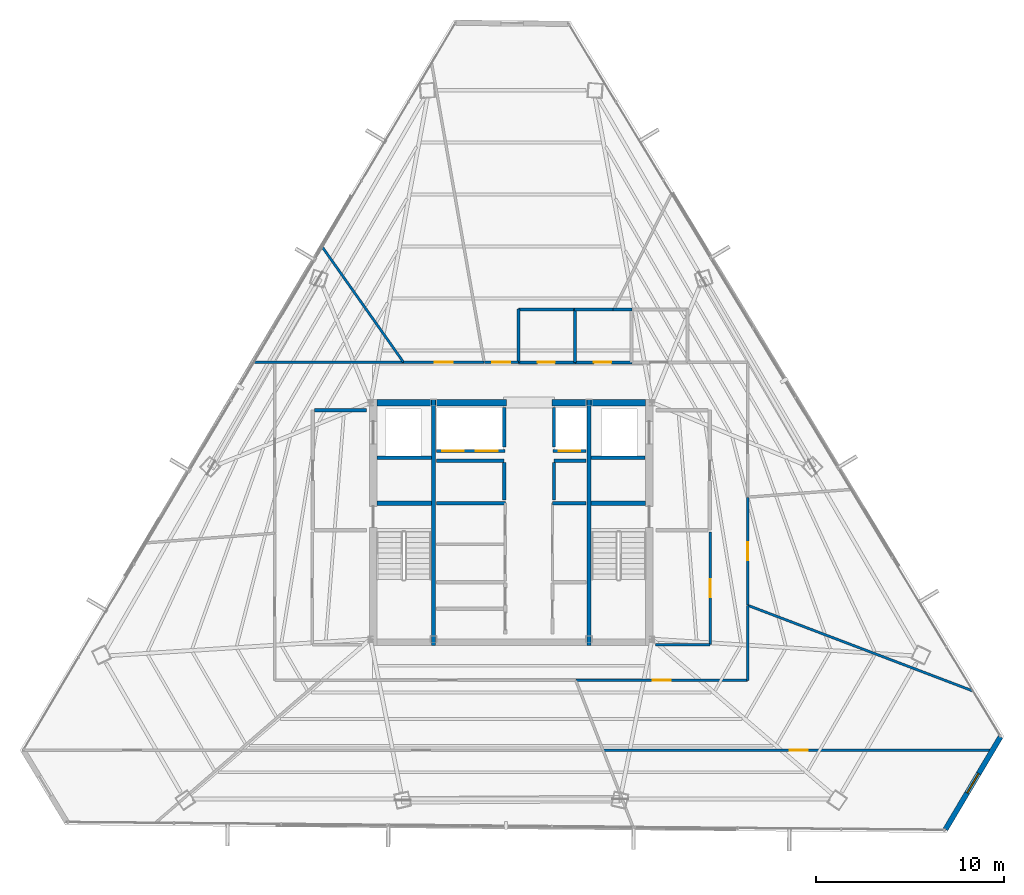
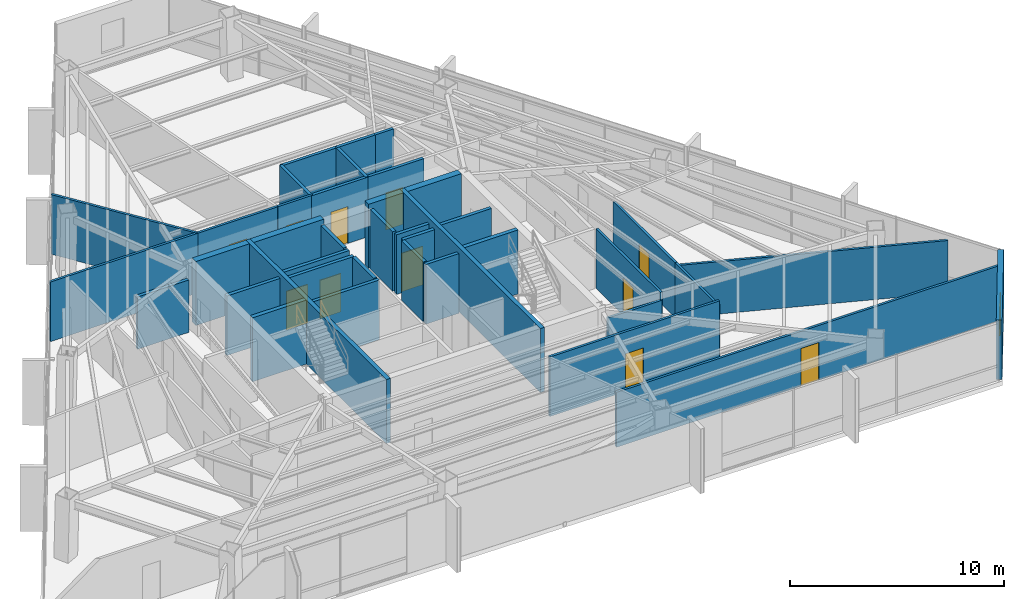
# One storey, part 43 of 47: 40 walls, 11 doors, 1 window, 12 openings.
"""IFC4 building model written with IfcOpenShell, lengths in metres."""

from ifc_helpers import new_model, si_unit, direction, frame, frame_2d, origin, place, context, subcontext, project, spatial, rectangle, extrude, material, layer, layer_set, type_object, element, fill, save


model = new_model("IFC4")

# Units and contexts
model_context = context("Model", 3, precision=1e-05, world=origin(), true_north=direction((0.0, 1.0)))
body_context = subcontext(model_context, "Body", "Model", "MODEL_VIEW")
ifc_project = project(units=[si_unit("LENGTHUNIT", "METRE"), si_unit("AREAUNIT", "SQUARE_METRE"), si_unit("VOLUMEUNIT", "CUBIC_METRE"), si_unit("PLANEANGLEUNIT", "RADIAN"), si_unit("MASSUNIT", "GRAM", prefix="KILO")], contexts=[model_context])

# Site, building, storey
site_placement = place(None, origin())
site = spatial("IfcSite", under=ifc_project, at=site_placement, CompositionType="ELEMENT")
building_placement = place(site_placement, origin())
building = spatial("IfcBuilding", under=site, at=building_placement, Name="Caelisora Broadcast Tower", CompositionType="ELEMENT")
storey_placement = place(building_placement, frame((0.0, 0.0, 229.85009765625)))
storey = spatial("IfcBuildingStorey", under=building, at=storey_placement, Name="L60", CompositionType="ELEMENT", Elevation=229.85009765625)

# Walls
ifc_material_1 = material(Name="Concrete 40 MPa (AS 3600 N40)", Category="concrete")
ifc_layer_1 = layer(ifc_material_1, 0.35009765625, Name="Concrete 40 MPa (AS 3600 N40)")
ifc_layer_set_1 = layer_set([ifc_layer_1], Name="Concrete 40 MPa (AS 3600 N40)")
wall_type_1 = type_object("IfcWallType", Name="CW6", PredefinedType="SHEAR", material=ifc_layer_set_1)
wall_1_placement = place(storey_placement, frame((30.840087890625, 30.0, 0.0), z_axis=(0.0, 0.0, 1.0), x_axis=(1.0, 0.0, 0.0)))
element("IfcWall", 1, at=wall_1_placement, inside=storey, type_object=wall_type_1, Name="L60 core shear wall CW6", PredefinedType="SHEAR", context=body_context, shape_type="SweptSolid", body=[
    extrude(rectangle(XDim=2.89990234375, YDim=0.35009765625, at=frame_2d((1.449951171875, 0.0))), origin(), (0.0, 0.0, 1.0), 3.64990234375),
])
wall_2_placement = place(storey_placement, frame((33.9599609375, 30.0, 0.0), z_axis=(0.0, 0.0, 1.0), x_axis=(1.0, 0.0, 0.0)))
element("IfcWall", 2, at=wall_2_placement, inside=storey, type_object=wall_type_1, Name="L60 core shear wall CW6", PredefinedType="SHEAR", context=body_context, shape_type="SweptSolid", body=[
    extrude(rectangle(XDim=3.780029296875, YDim=0.35009765625, at=frame_2d((1.89013671875, 0.0))), origin(), (0.0, 0.0, 1.0), 3.64990234375),
])
wall_3_placement = place(storey_placement, frame((40.159912109375, 30.0, 0.0), z_axis=(0.0, 0.0, 1.0), x_axis=(1.0, 0.0, 0.0)))
element("IfcWall", 3, at=wall_3_placement, inside=storey, type_object=wall_type_1, Name="L60 core shear wall CW6", PredefinedType="SHEAR", context=body_context, shape_type="SweptSolid", body=[
    extrude(rectangle(XDim=1.880126953125, YDim=0.35009765625, at=frame_2d((0.93994140625, 0.0))), origin(), (0.0, 0.0, 1.0), 3.64990234375),
])
wall_4_placement = place(storey_placement, frame((42.260009765625, 30.0, 0.0), z_axis=(0.0, 0.0, 1.0), x_axis=(1.0, 0.0, 0.0)))
element("IfcWall", 4, at=wall_4_placement, inside=storey, type_object=wall_type_1, Name="L60 core shear wall CW6", PredefinedType="SHEAR", context=body_context, shape_type="SweptSolid", body=[
    extrude(rectangle(XDim=2.89990234375, YDim=0.35009765625, at=frame_2d((1.449951171875, 0.0))), origin(), (0.0, 0.0, 1.0), 3.64990234375),
])
ifc_material_2 = material(Name="Concrete 50 MPa (AS 3600 S50)", Category="concrete")
ifc_layer_2 = layer(ifc_material_2, 0.219970703125, Name="Concrete 50 MPa (AS 3600 S50)")
ifc_layer_set_2 = layer_set([ifc_layer_2], Name="Concrete 50 MPa (AS 3600 S50)")
wall_type_2 = type_object("IfcWallType", Name="CW7", PredefinedType="SHEAR", material=ifc_layer_set_2)
for number, where, z_axis, x_axis, name in (
    (5, (33.85009765625, 17.050048828125, 0.0), (0.0, 0.0, 1.0), (0.0, 1.0, 0.0), "L60 core shear wall CW7"),
    (6, (42.14990234375, 17.050048828125, 0.0), (0.0, 0.0, 1.0), (0.0, 1.0, 0.0), "L60 core shear wall CW7"),
):
    element("IfcWall", number, at=place(storey_placement, frame(where, z_axis=z_axis, x_axis=x_axis)), inside=storey, type_object=wall_type_2, Name=name, PredefinedType="SHEAR", context=body_context, shape_type="SweptSolid", body=[
        extrude(rectangle(XDim=13.125, YDim=0.219970703125, at=frame_2d((6.5625, 0.0))), origin(), (0.0, 0.0, 1.0), 3.64990234375),
    ])
for number, where, z_axis, x_axis, name in (
    (7, (30.840087890625, 24.639892578125, 0.0), (0.0, 0.0, 1.0), (1.0, 0.0, 0.0), "L60 core shear wall CW7"),
    (8, (42.260009765625, 24.639892578125, 0.0), (0.0, 0.0, 1.0), (1.0, 0.0, 0.0), "L60 core shear wall CW7"),
):
    element("IfcWall", number, at=place(storey_placement, frame(where, z_axis=z_axis, x_axis=x_axis)), inside=storey, type_object=wall_type_2, Name=name, PredefinedType="SHEAR", context=body_context, shape_type="SweptSolid", body=[
        extrude(rectangle(XDim=2.89990234375, YDim=0.219970703125, at=frame_2d((1.449951171875, 0.0))), origin(), (0.0, 0.0, 1.0), 3.64990234375),
    ])

# Wall, opening, window
ifc_material_3 = material(Name="Insulated Terracotta Spandrel Wall System", Category="masonry")
ifc_layer_3 = layer(ifc_material_3, 0.280029296875, Name="Insulated Terracotta Spandrel Wall System")
ifc_layer_set_3 = layer_set([ifc_layer_3], Name="Insulated Terracotta Spandrel Wall System")
wall_type_3 = type_object("IfcWallType", Name="EW1", PredefinedType="STANDARD", material=ifc_layer_set_3)
wall_5_placement = place(storey_placement, frame((64.066650390625, 12.186279296875, 0.0), z_axis=(0.0, 0.0, 1.0), x_axis=(-0.510923244248, -0.859626336548, 0.0)))
wall_5 = element("IfcWall", 9, at=wall_5_placement, inside=storey, type_object=wall_type_3, Name="L60 exterior envelope wall EW1", PredefinedType="STANDARD", context=body_context, shape_type="SweptSolid", body=[
    extrude(rectangle(XDim=5.735595703125, YDim=0.280029296875, at=frame_2d((2.86767578125, 0.0))), origin(), (0.0, 0.0, 1.0), 3.39990234375),
])
opening_1_placement = place(wall_5_placement, frame((2.27001953125, 0.0, 0.89990234375)))
opening_1 = element("IfcOpeningElement", 10, at=opening_1_placement, cuts=wall_5, Name="Opening W03", PredefinedType="OPENING", context=body_context, shape_type="SweptSolid", body=[
    extrude(rectangle(XDim=1.199951171875, YDim=1.64990234375, at=frame_2d((0.60009765625, 0.824951171875))), frame((0.0, 0.152099609375, 0.0), z_axis=(0.0, -1.0, 0.0), x_axis=(1.0, 0.0, 0.0)), (0.0, 0.0, 1.0), 0.303955078125),
])
ifc_material_4 = material(Name="Double Glazed Corner Vision Window", Category="glass")
window_type = type_object("IfcWindowType", Name="W03", PartitioningType="SINGLE_PANEL", PredefinedType="WINDOW", material=ifc_material_4)
window_placement = place(opening_1_placement, origin())
window = element("IfcWindow", 11, at=window_placement, inside=storey, type_object=window_type, Name="L60 window W03 (L60-WN-CH0)", OverallHeight=1.64990234375, OverallWidth=1.199951171875, PartitioningType="SINGLE_PANEL", PredefinedType="WINDOW", context=body_context, shape_type="SweptSolid", body=[
    extrude(rectangle(XDim=1.199951171875, YDim=1.64990234375, at=frame_2d((0.60009765625, 0.824951171875))), frame((0.0, 0.030029296875, 0.0), z_axis=(0.0, -1.0, 0.0), x_axis=(1.0, 0.0, 0.0)), (0.0, 0.0, 1.0), 0.06005859375),
])
fill(opening_1, window)

# Walls
ifc_material_5 = material(Name="Fire-Rated Gypsum Shaft and Compartment Wall", Category="gypsum")
ifc_layer_4 = layer(ifc_material_5, 0.179931640625, Name="Fire-Rated Gypsum Shaft and Compartment Wall")
ifc_layer_set_4 = layer_set([ifc_layer_4], Name="Fire-Rated Gypsum Shaft and Compartment Wall")
wall_type_4 = type_object("IfcWallType", Name="PW2", PredefinedType="PARTITIONING", material=ifc_layer_set_4)
wall_6_placement = place(storey_placement, frame((34.02001953125, 26.89990234375, 0.0), z_axis=(0.0, 0.0, 1.0), x_axis=(1.0, 0.0, 0.0)))
element("IfcWall", 12, at=wall_6_placement, inside=storey, type_object=wall_type_4, Name="L60 fire compartment wall PW2", PredefinedType="PARTITIONING", context=body_context, shape_type="SweptSolid", body=[
    extrude(rectangle(XDim=3.60009765625, YDim=0.179931640625, at=frame_2d((1.800048828125, 0.0))), origin(), (0.0, 0.0, 1.0), 3.39990234375),
])
wall_7_placement = place(storey_placement, frame((40.280029296875, 26.89990234375, 0.0), z_axis=(0.0, 0.0, 1.0), x_axis=(1.0, 0.0, 0.0)))
element("IfcWall", 13, at=wall_7_placement, inside=storey, type_object=wall_type_4, Name="L60 fire compartment wall PW2", PredefinedType="PARTITIONING", context=body_context, shape_type="SweptSolid", body=[
    extrude(rectangle(XDim=1.699951171875, YDim=0.179931640625, at=frame_2d((0.85009765625, 0.0))), origin(), (0.0, 0.0, 1.0), 3.39990234375),
])
for number, where, z_axis, x_axis, name in (
    (14, (37.6201171875, 24.800048828125, 0.0), (0.0, 0.0, 1.0), (0.0, 1.0, 0.0), "L60 fire compartment wall PW2"),
    (15, (40.280029296875, 24.800048828125, 0.0), (0.0, 0.0, 1.0), (0.0, 1.0, 0.0), "L60 fire compartment wall PW2"),
):
    element("IfcWall", number, at=place(storey_placement, frame(where, z_axis=z_axis, x_axis=x_axis)), inside=storey, type_object=wall_type_4, Name=name, PredefinedType="PARTITIONING", context=body_context, shape_type="SweptSolid", body=[
        extrude(rectangle(XDim=2.0, YDim=0.179931640625, at=frame_2d((1.0, 0.0))), origin(), (0.0, 0.0, 1.0), 3.39990234375),
    ])
wall_8_placement = place(storey_placement, frame((34.02001953125, 24.639892578125, 0.0), z_axis=(0.0, 0.0, 1.0), x_axis=(1.0, 0.0, 0.0)))
element("IfcWall", 16, at=wall_8_placement, inside=storey, type_object=wall_type_4, Name="L60 fire compartment wall PW2", PredefinedType="PARTITIONING", context=body_context, shape_type="SweptSolid", body=[
    extrude(rectangle(XDim=3.679931640625, YDim=0.179931640625, at=frame_2d((1.83984375, 0.0))), origin(), (0.0, 0.0, 1.0), 3.39990234375),
])
wall_9_placement = place(storey_placement, frame((40.199951171875, 24.639892578125, 0.0), z_axis=(0.0, 0.0, 1.0), x_axis=(1.0, 0.0, 0.0)))
element("IfcWall", 17, at=wall_9_placement, inside=storey, type_object=wall_type_4, Name="L60 fire compartment wall PW2", PredefinedType="PARTITIONING", context=body_context, shape_type="SweptSolid", body=[
    extrude(rectangle(XDim=1.780029296875, YDim=0.179931640625, at=frame_2d((0.89013671875, 0.0))), origin(), (0.0, 0.0, 1.0), 3.39990234375),
])

# Wall, openings, doors
wall_10_placement = place(storey_placement, frame((34.02001953125, 27.419921875, 0.0), z_axis=(0.0, 0.0, 1.0), x_axis=(1.0, 0.0, 0.0)))
wall_10 = element("IfcWall", 18, at=wall_10_placement, inside=storey, type_object=wall_type_4, Name="L60 fire compartment wall PW2", PredefinedType="PARTITIONING", context=body_context, shape_type="SweptSolid", body=[
    extrude(rectangle(XDim=3.659912109375, YDim=0.179931640625, at=frame_2d((1.830078125, 0.0))), origin(), (0.0, 0.0, 1.0), 3.39990234375),
])
opening_2_placement = place(wall_10_placement, frame((0.300048828125, 0.0, 0.0)))
opening_2 = element("IfcOpeningElement", 19, at=opening_2_placement, cuts=wall_10, Name="Opening LD02", PredefinedType="OPENING", context=body_context, shape_type="SweptSolid", body=[
    extrude(rectangle(XDim=1.14990234375, YDim=2.199951171875, at=frame_2d((0.574951171875, 1.10009765625))), frame((0.0, 0.10205078125, 0.0), z_axis=(0.0, -1.0, 0.0), x_axis=(1.0, 0.0, 0.0)), (0.0, 0.0, 1.0), 0.203857421875),
])
opening_3_placement = place(wall_10_placement, frame((2.10009765625, 0.0, 0.0)))
opening_3 = element("IfcOpeningElement", 20, at=opening_3_placement, cuts=wall_10, Name="Opening LD02", PredefinedType="OPENING", context=body_context, shape_type="SweptSolid", body=[
    extrude(rectangle(XDim=1.14990234375, YDim=2.199951171875, at=frame_2d((0.574951171875, 1.10009765625))), frame((0.0, 0.10205078125, 0.0), z_axis=(0.0, -1.0, 0.0), x_axis=(1.0, 0.0, 0.0)), (0.0, 0.0, 1.0), 0.203857421875),
])
ifc_material_6 = material(Name="High-Speed Express Lift Sliding Landing Door", Category="steel")
door_type_1 = type_object("IfcDoorType", Name="LD02", OperationType="NOTDEFINED", PredefinedType="DOOR", material=ifc_material_6)
door_1_placement = place(opening_2_placement, origin())
door_1 = element("IfcDoor", 21, at=door_1_placement, inside=storey, type_object=door_type_1, Name="L60 door LD02 (L60-LD-PLH1)", OperationType="SLIDING_TO_RIGHT", OverallHeight=2.199951171875, OverallWidth=1.14990234375, PredefinedType="DOOR", context=body_context, shape_type="SweptSolid", body=[
    extrude(rectangle(XDim=1.14990234375, YDim=2.199951171875, at=frame_2d((0.574951171875, 1.10009765625))), frame((0.0, 0.02490234375, 0.0), z_axis=(0.0, -1.0, 0.0), x_axis=(1.0, 0.0, 0.0)), (0.0, 0.0, 1.0), 0.050048828125),
])
fill(opening_2, door_1)
door_2_placement = place(opening_3_placement, origin())
door_2 = element("IfcDoor", 22, at=door_2_placement, inside=storey, type_object=door_type_1, Name="L60 door LD02 (L60-LD-PLH2)", OperationType="SLIDING_TO_LEFT", OverallHeight=2.199951171875, OverallWidth=1.14990234375, PredefinedType="DOOR", context=body_context, shape_type="SweptSolid", body=[
    extrude(rectangle(XDim=1.14990234375, YDim=2.199951171875, at=frame_2d((0.574951171875, 1.10009765625))), frame((0.0, 0.02490234375, 0.0), z_axis=(0.0, -1.0, 0.0), x_axis=(1.0, 0.0, 0.0)), (0.0, 0.0, 1.0), 0.050048828125),
])
fill(opening_3, door_2)

# Wall, opening, door
wall_11_placement = place(storey_placement, frame((40.219970703125, 27.419921875, 0.0), z_axis=(0.0, 0.0, 1.0), x_axis=(1.0, 0.0, 0.0)))
wall_11 = element("IfcWall", 23, at=wall_11_placement, inside=storey, type_object=wall_type_4, Name="L60 fire compartment wall PW2", PredefinedType="PARTITIONING", context=body_context, shape_type="SweptSolid", body=[
    extrude(rectangle(XDim=1.760009765625, YDim=0.179931640625, at=frame_2d((0.8798828125, 0.0))), origin(), (0.0, 0.0, 1.0), 3.39990234375),
])
opening_4_placement = place(wall_11_placement, frame((0.320068359375, 0.0, 0.0)))
opening_4 = element("IfcOpeningElement", 24, at=opening_4_placement, cuts=wall_11, Name="Opening LD02", PredefinedType="OPENING", context=body_context, shape_type="SweptSolid", body=[
    extrude(rectangle(XDim=1.14990234375, YDim=2.199951171875, at=frame_2d((0.574951171875, 1.10009765625))), frame((0.0, 0.10205078125, 0.0), z_axis=(0.0, -1.0, 0.0), x_axis=(1.0, 0.0, 0.0)), (0.0, 0.0, 1.0), 0.203857421875),
])
door_3_placement = place(opening_4_placement, origin())
door_3 = element("IfcDoor", 25, at=door_3_placement, inside=storey, type_object=door_type_1, Name="L60 door LD02 (L60-LD-PLH3)", OperationType="SLIDING_TO_RIGHT", OverallHeight=2.199951171875, OverallWidth=1.14990234375, PredefinedType="DOOR", context=body_context, shape_type="SweptSolid", body=[
    extrude(rectangle(XDim=1.14990234375, YDim=2.199951171875, at=frame_2d((0.574951171875, 1.10009765625))), frame((0.0, 0.02490234375, 0.0), z_axis=(0.0, -1.0, 0.0), x_axis=(1.0, 0.0, 0.0)), (0.0, 0.0, 1.0), 0.050048828125),
])
fill(opening_4, door_3)

# Walls
for number, where, z_axis, x_axis, name in (
    (26, (37.6201171875, 27.639892578125, 0.0), (0.0, 0.0, 1.0), (0.0, 1.0, 0.0), "L60 fire compartment wall PW2"),
    (27, (40.280029296875, 27.639892578125, 0.0), (0.0, 0.0, 1.0), (0.0, 1.0, 0.0), "L60 fire compartment wall PW2"),
):
    element("IfcWall", number, at=place(storey_placement, frame(where, z_axis=z_axis, x_axis=x_axis)), inside=storey, type_object=wall_type_4, Name=name, PredefinedType="PARTITIONING", context=body_context, shape_type="SweptSolid", body=[
        extrude(rectangle(XDim=2.110107421875, YDim=0.179931640625, at=frame_2d((1.05517578125, 0.0))), origin(), (0.0, 0.0, 1.0), 3.39990234375),
    ])
wall_12_placement = place(storey_placement, frame((27.52001953125, 29.60009765625, 0.0), z_axis=(0.0, 0.0, 1.0), x_axis=(1.0, 0.0, 0.0)))
element("IfcWall", 28, at=wall_12_placement, inside=storey, type_object=wall_type_4, Name="L60 fire compartment wall PW2", PredefinedType="PARTITIONING", context=body_context, shape_type="SweptSolid", body=[
    extrude(rectangle(XDim=2.760009765625, YDim=0.179931640625, at=frame_2d((1.3798828125, 0.0))), origin(), (0.0, 0.0, 1.0), 2.98486328125),
])
for number, where, z_axis, x_axis, name in (
    (29, (30.860107421875, 27.070068359375, 0.0), (0.0, 0.0, 1.0), (1.0, 0.0, 0.0), "L60 fire compartment wall PW2"),
    (30, (42.239990234375, 27.070068359375, 0.0), (0.0, 0.0, 1.0), (1.0, 0.0, 0.0), "L60 fire compartment wall PW2"),
):
    element("IfcWall", number, at=place(storey_placement, frame(where, z_axis=z_axis, x_axis=x_axis)), inside=storey, type_object=wall_type_4, Name=name, PredefinedType="PARTITIONING", context=body_context, shape_type="SweptSolid", body=[
        extrude(rectangle(XDim=2.89990234375, YDim=0.179931640625, at=frame_2d((1.449951171875, 0.0))), origin(), (0.0, 0.0, 1.0), 3.39990234375),
    ])

# Wall, opening, door
ifc_material_7 = material(Name="Acoustic Steel-Stud Plasterboard Partition", Category="gypsum")
ifc_layer_5 = layer(ifc_material_7, 0.1298828125, Name="Acoustic Steel-Stud Plasterboard Partition")
ifc_layer_set_5 = layer_set([ifc_layer_5], Name="Acoustic Steel-Stud Plasterboard Partition")
wall_type_5 = type_object("IfcWallType", Name="PW3", PredefinedType="PARTITIONING", material=ifc_layer_set_5)
wall_13_placement = place(storey_placement, frame((42.89501953125, 11.47998046875, 0.0), z_axis=(0.0, 0.0, 1.0), x_axis=(1.0, 0.0, 0.0)))
wall_13 = element("IfcWall", 31, at=wall_13_placement, inside=storey, type_object=wall_type_5, Name="L60 internal partition PW3", PredefinedType="PARTITIONING", context=body_context, shape_type="SweptSolid", body=[
    extrude(rectangle(XDim=20.757568359375, YDim=0.1298828125, at=frame_2d((10.37890625, 0.0))), origin(), (0.0, 0.0, 1.0), 3.128662109375),
])
opening_5_placement = place(wall_13_placement, frame((9.951904296875, 0.0, 0.0)))
opening_5 = element("IfcOpeningElement", 32, at=opening_5_placement, cuts=wall_13, Name="Opening D01", PredefinedType="OPENING", context=body_context, shape_type="SweptSolid", body=[
    extrude(rectangle(XDim=0.9599609375, YDim=2.14990234375, at=frame_2d((0.47998046875, 1.074951171875))), frame((0.0, 0.076904296875, 0.0), z_axis=(0.0, -1.0, 0.0), x_axis=(1.0, 0.0, 0.0)), (0.0, 0.0, 1.0), 0.15380859375),
])
ifc_material_8 = material(Name="Solid-Core Timber Acoustic Office Door", Category="wood")
door_type_2 = type_object("IfcDoorType", Name="D01", OperationType="NOTDEFINED", PredefinedType="DOOR", material=ifc_material_8)
door_4_placement = place(opening_5_placement, origin())
door_4 = element("IfcDoor", 33, at=door_4_placement, inside=storey, type_object=door_type_2, Name="L60 door D01 (L60-DR-P28D1)", OperationType="SINGLE_SWING_RIGHT", OverallHeight=2.14990234375, OverallWidth=0.9599609375, PredefinedType="DOOR", context=body_context, shape_type="SweptSolid", body=[
    extrude(rectangle(XDim=0.9599609375, YDim=2.14990234375, at=frame_2d((0.47998046875, 1.074951171875))), frame((0.0, 0.02490234375, 0.0), z_axis=(0.0, -1.0, 0.0), x_axis=(1.0, 0.0, 0.0)), (0.0, 0.0, 1.0), 0.050048828125),
])
fill(opening_5, door_4)

# Wall
wall_14_placement = place(storey_placement, frame((50.60498046875, 19.197998046875, 0.0), z_axis=(0.0, 0.0, 1.0), x_axis=(0.934650634902, -0.35556742072, 0.0)))
element("IfcWall", 34, at=wall_14_placement, inside=storey, type_object=wall_type_5, Name="L60 internal partition PW3", PredefinedType="PARTITIONING", context=body_context, shape_type="SweptSolid", body=[
    extrude(rectangle(XDim=12.8603515625, YDim=0.1298828125, at=frame_2d((6.43017578125, 0.0))), origin(), (0.0, 0.0, 1.0), 2.98486328125),
])

# Wall, opening, door
wall_15_placement = place(storey_placement, frame((41.445068359375, 15.199951171875, 0.0), z_axis=(0.0, 0.0, 1.0), x_axis=(1.0, 0.0, 0.0)))
wall_15 = element("IfcWall", 35, at=wall_15_placement, inside=storey, type_object=wall_type_5, Name="L60 internal partition PW3", PredefinedType="PARTITIONING", context=body_context, shape_type="SweptSolid", body=[
    extrude(rectangle(XDim=9.14990234375, YDim=0.1298828125, at=frame_2d((4.574951171875, 0.0))), origin(), (0.0, 0.0, 1.0), 3.39990234375),
])
opening_6_placement = place(wall_15_placement, frame((4.094970703125, 0.0, 0.0)))
opening_6 = element("IfcOpeningElement", 36, at=opening_6_placement, cuts=wall_15, Name="Opening D01", PredefinedType="OPENING", context=body_context, shape_type="SweptSolid", body=[
    extrude(rectangle(XDim=0.9599609375, YDim=2.14990234375, at=frame_2d((0.47998046875, 1.074951171875))), frame((0.0, 0.076904296875, 0.0), z_axis=(0.0, -1.0, 0.0), x_axis=(1.0, 0.0, 0.0)), (0.0, 0.0, 1.0), 0.15380859375),
])
door_5_placement = place(opening_6_placement, origin())
door_5 = element("IfcDoor", 37, at=door_5_placement, inside=storey, type_object=door_type_2, Name="L60 door D01 (L60-DR-P35D1)", OperationType="SINGLE_SWING_RIGHT", OverallHeight=2.14990234375, OverallWidth=0.9599609375, PredefinedType="DOOR", context=body_context, shape_type="SweptSolid", body=[
    extrude(rectangle(XDim=0.9599609375, YDim=2.14990234375, at=frame_2d((0.47998046875, 1.074951171875))), frame((0.0, 0.02490234375, 0.0), z_axis=(0.0, -1.0, 0.0), x_axis=(1.0, 0.0, 0.0)), (0.0, 0.0, 1.0), 0.050048828125),
])
fill(opening_6, door_5)

# Walls
wall_16_placement = place(storey_placement, frame((27.93115234375, 38.293212890625, 0.0), z_axis=(0.0, 0.0, 1.0), x_axis=(0.576007841944, -0.817444166912, 0.0)))
element("IfcWall", 38, at=wall_16_placement, inside=storey, type_object=wall_type_5, Name="L60 internal partition PW3", PredefinedType="PARTITIONING", context=body_context, shape_type="SweptSolid", body=[
    extrude(rectangle(XDim=7.51025390625, YDim=0.1298828125, at=frame_2d((3.755126953125, 0.0))), origin(), (0.0, 0.0, 1.0), 3.39990234375),
])
wall_17_placement = place(storey_placement, frame((24.306396484375, 32.14990234375, 0.0), z_axis=(0.0, 0.0, 1.0), x_axis=(1.0, 0.0, 0.0)))
element("IfcWall", 39, at=wall_17_placement, inside=storey, type_object=wall_type_5, Name="L60 internal partition PW3", PredefinedType="PARTITIONING", context=body_context, shape_type="SweptSolid", body=[
    extrude(rectangle(XDim=7.948486328125, YDim=0.1298828125, at=frame_2d((3.97412109375, 0.0))), origin(), (0.0, 0.0, 1.0), 3.39990234375),
])

# Wall, opening, door
wall_18_placement = place(storey_placement, frame((48.60009765625, 17.10498046875, 0.0), z_axis=(0.0, 0.0, 1.0), x_axis=(0.0, 1.0, 0.0)))
wall_18 = element("IfcWall", 40, at=wall_18_placement, inside=storey, type_object=wall_type_5, Name="L60 internal partition PW3", PredefinedType="PARTITIONING", context=body_context, shape_type="SweptSolid", body=[
    extrude(rectangle(XDim=6.0, YDim=0.1298828125, at=frame_2d((3.0, 0.0))), origin(), (0.0, 0.0, 1.0), 3.39990234375),
])
opening_7_placement = place(wall_18_placement, frame((2.52001953125, 0.0, 0.0)))
opening_7 = element("IfcOpeningElement", 41, at=opening_7_placement, cuts=wall_18, Name="Opening D01", PredefinedType="OPENING", context=body_context, shape_type="SweptSolid", body=[
    extrude(rectangle(XDim=0.9599609375, YDim=2.14990234375, at=frame_2d((0.47998046875, 1.074951171875))), frame((0.0, 0.076904296875, 0.0), z_axis=(0.0, -1.0, 0.0), x_axis=(1.0, 0.0, 0.0)), (0.0, 0.0, 1.0), 0.15380859375),
])
door_6_placement = place(opening_7_placement, origin())
door_6 = element("IfcDoor", 42, at=door_6_placement, inside=storey, type_object=door_type_2, Name="L60 door D01 (L60-DR-P46D1)", OperationType="SINGLE_SWING_LEFT", OverallHeight=2.14990234375, OverallWidth=0.9599609375, PredefinedType="DOOR", context=body_context, shape_type="SweptSolid", body=[
    extrude(rectangle(XDim=0.9599609375, YDim=2.14990234375, at=frame_2d((0.47998046875, 1.074951171875))), frame((0.0, 0.02490234375, 0.0), z_axis=(0.0, -1.0, 0.0), x_axis=(1.0, 0.0, 0.0)), (0.0, 0.0, 1.0), 0.050048828125),
])
fill(opening_7, door_6)

wall_19_placement = place(storey_placement, frame((50.60009765625, 19.205078125, 0.0), z_axis=(0.0, 0.0, 1.0), x_axis=(0.0, 1.0, 0.0)))
wall_19 = element("IfcWall", 43, at=wall_19_placement, inside=storey, type_object=wall_type_5, Name="L60 internal partition PW3", PredefinedType="PARTITIONING", context=body_context, shape_type="SweptSolid", body=[
    extrude(rectangle(XDim=5.75, YDim=0.1298828125, at=frame_2d((2.875, 0.0))), origin(), (0.0, 0.0, 1.0), 3.128662109375),
])
opening_8_placement = place(wall_19_placement, frame((2.39501953125, 0.0, 0.0)))
opening_8 = element("IfcOpeningElement", 44, at=opening_8_placement, cuts=wall_19, Name="Opening D01", PredefinedType="OPENING", context=body_context, shape_type="SweptSolid", body=[
    extrude(rectangle(XDim=0.9599609375, YDim=2.14990234375, at=frame_2d((0.47998046875, 1.074951171875))), frame((0.0, 0.076904296875, 0.0), z_axis=(0.0, -1.0, 0.0), x_axis=(1.0, 0.0, 0.0)), (0.0, 0.0, 1.0), 0.15380859375),
])
door_7_placement = place(opening_8_placement, origin())
door_7 = element("IfcDoor", 45, at=door_7_placement, inside=storey, type_object=door_type_2, Name="L60 door D01 (L60-DR-P47D1)", OperationType="SINGLE_SWING_RIGHT", OverallHeight=2.14990234375, OverallWidth=0.9599609375, PredefinedType="DOOR", context=body_context, shape_type="SweptSolid", body=[
    extrude(rectangle(XDim=0.9599609375, YDim=2.14990234375, at=frame_2d((0.47998046875, 1.074951171875))), frame((0.0, 0.02490234375, 0.0), z_axis=(0.0, -1.0, 0.0), x_axis=(1.0, 0.0, 0.0)), (0.0, 0.0, 1.0), 0.050048828125),
])
fill(opening_8, door_7)

wall_20_placement = place(storey_placement, frame((32.264892578125, 32.14990234375, 0.0), z_axis=(0.0, 0.0, 1.0), x_axis=(1.0, 0.0, 0.0)))
wall_20 = element("IfcWall", 46, at=wall_20_placement, inside=storey, type_object=wall_type_5, Name="L60 internal partition PW3", PredefinedType="PARTITIONING", context=body_context, shape_type="SweptSolid", body=[
    extrude(rectangle(XDim=4.2900390625, YDim=0.1298828125, at=frame_2d((2.14501953125, 0.0))), origin(), (0.0, 0.0, 1.0), 3.39990234375),
])
opening_9_placement = place(wall_20_placement, frame((1.6650390625, 0.0, 0.0)))
opening_9 = element("IfcOpeningElement", 47, at=opening_9_placement, cuts=wall_20, Name="Opening D01", PredefinedType="OPENING", context=body_context, shape_type="SweptSolid", body=[
    extrude(rectangle(XDim=0.9599609375, YDim=2.14990234375, at=frame_2d((0.47998046875, 1.074951171875))), frame((0.0, 0.076904296875, 0.0), z_axis=(0.0, -1.0, 0.0), x_axis=(1.0, 0.0, 0.0)), (0.0, 0.0, 1.0), 0.15380859375),
])
door_8_placement = place(opening_9_placement, origin())
door_8 = element("IfcDoor", 48, at=door_8_placement, inside=storey, type_object=door_type_2, Name="L60 door D01 (L60-DR-P51D1)", OperationType="SINGLE_SWING_LEFT", OverallHeight=2.14990234375, OverallWidth=0.9599609375, PredefinedType="DOOR", context=body_context, shape_type="SweptSolid", body=[
    extrude(rectangle(XDim=0.9599609375, YDim=2.14990234375, at=frame_2d((0.47998046875, 1.074951171875))), frame((0.0, 0.02490234375, 0.0), z_axis=(0.0, -1.0, 0.0), x_axis=(1.0, 0.0, 0.0)), (0.0, 0.0, 1.0), 0.050048828125),
])
fill(opening_9, door_8)

# Walls
wall_21_placement = place(storey_placement, frame((50.60009765625, 15.205078125, 0.0), z_axis=(0.0, 0.0, 1.0), x_axis=(0.0, 1.0, 0.0)))
element("IfcWall", 49, at=wall_21_placement, inside=storey, type_object=wall_type_5, Name="L60 internal partition PW3", PredefinedType="PARTITIONING", context=body_context, shape_type="SweptSolid", body=[
    extrude(rectangle(XDim=3.989990234375, YDim=0.1298828125, at=frame_2d((1.9951171875, 0.0))), origin(), (0.0, 0.0, 1.0), 3.128662109375),
])
wall_22_placement = place(storey_placement, frame((45.675048828125, 17.10009765625, 0.0), z_axis=(0.0, 0.0, 1.0), x_axis=(1.0, 0.0, 0.0)))
element("IfcWall", 50, at=wall_22_placement, inside=storey, type_object=wall_type_5, Name="L60 internal partition PW3", PredefinedType="PARTITIONING", context=body_context, shape_type="SweptSolid", body=[
    extrude(rectangle(XDim=2.919921875, YDim=0.1298828125, at=frame_2d((1.4599609375, 0.0))), origin(), (0.0, 0.0, 1.0), 2.98486328125),
])

# Wall, opening, door
wall_23_placement = place(storey_placement, frame((36.56494140625, 32.14990234375, 0.0), z_axis=(0.0, 0.0, 1.0), x_axis=(1.0, 0.0, 0.0)))
wall_23 = element("IfcWall", 51, at=wall_23_placement, inside=storey, type_object=wall_type_5, Name="L60 internal partition PW3", PredefinedType="PARTITIONING", context=body_context, shape_type="SweptSolid", body=[
    extrude(rectangle(XDim=1.830078125, YDim=0.1298828125, at=frame_2d((0.9150390625, 0.0))), origin(), (0.0, 0.0, 1.0), 3.39990234375),
])
opening_10_placement = place(wall_23_placement, frame((0.43505859375, 0.0, 0.0)))
opening_10 = element("IfcOpeningElement", 52, at=opening_10_placement, cuts=wall_23, Name="Opening D01", PredefinedType="OPENING", context=body_context, shape_type="SweptSolid", body=[
    extrude(rectangle(XDim=0.9599609375, YDim=2.14990234375, at=frame_2d((0.47998046875, 1.074951171875))), frame((0.0, 0.076904296875, 0.0), z_axis=(0.0, -1.0, 0.0), x_axis=(1.0, 0.0, 0.0)), (0.0, 0.0, 1.0), 0.15380859375),
])
door_9_placement = place(opening_10_placement, origin())
door_9 = element("IfcDoor", 53, at=door_9_placement, inside=storey, type_object=door_type_2, Name="L60 door D01 (L60-DR-P58D1)", OperationType="SINGLE_SWING_RIGHT", OverallHeight=2.14990234375, OverallWidth=0.9599609375, PredefinedType="DOOR", context=body_context, shape_type="SweptSolid", body=[
    extrude(rectangle(XDim=0.9599609375, YDim=2.14990234375, at=frame_2d((0.47998046875, 1.074951171875))), frame((0.0, 0.02490234375, 0.0), z_axis=(0.0, -1.0, 0.0), x_axis=(1.0, 0.0, 0.0)), (0.0, 0.0, 1.0), 0.050048828125),
])
fill(opening_10, door_9)

ifc_material_9 = material(Name="Moisture-Resistant Wet Plumbing Service Wall", Category="gypsum")
ifc_layer_6 = layer(ifc_material_9, 0.159912109375, Name="Moisture-Resistant Wet Plumbing Service Wall")
ifc_layer_set_6 = layer_set([ifc_layer_6], Name="Moisture-Resistant Wet Plumbing Service Wall")
wall_type_6 = type_object("IfcWallType", Name="PW4", PredefinedType="PLUMBINGWALL", material=ifc_layer_set_6)
wall_24_placement = place(storey_placement, frame((38.375, 32.14990234375, 0.0), z_axis=(0.0, 0.0, 1.0), x_axis=(1.0, 0.0, 0.0)))
wall_24 = element("IfcWall", 54, at=wall_24_placement, inside=storey, type_object=wall_type_6, Name="L60 wet plumbing wall PW4", PredefinedType="PLUMBINGWALL", context=body_context, shape_type="SweptSolid", body=[
    extrude(rectangle(XDim=3.050048828125, YDim=0.159912109375, at=frame_2d((1.52490234375, 0.0))), origin(), (0.0, 0.0, 1.0), 3.39990234375),
])
opening_11_placement = place(wall_24_placement, frame((1.034912109375, 0.0, 0.0)))
opening_11 = element("IfcOpeningElement", 55, at=opening_11_placement, cuts=wall_24, Name="Opening D03", PredefinedType="OPENING", context=body_context, shape_type="SweptSolid", body=[
    extrude(rectangle(XDim=0.919921875, YDim=2.10009765625, at=frame_2d((0.4599609375, 1.050048828125))), frame((0.0, 0.092041015625, 0.0), z_axis=(0.0, -1.0, 0.0), x_axis=(1.0, 0.0, 0.0)), (0.0, 0.0, 1.0), 0.183837890625),
])
ifc_material_10 = material(Name="Laminate Moisture-Resistant Amenity WC Door", Category="wood")
door_type_3 = type_object("IfcDoorType", Name="D03", OperationType="NOTDEFINED", PredefinedType="DOOR", material=ifc_material_10)
door_10_placement = place(opening_11_placement, origin())
door_10 = element("IfcDoor", 56, at=door_10_placement, inside=storey, type_object=door_type_3, Name="L60 door D03 (L60-DR-P17D1)", OperationType="SINGLE_SWING_LEFT", OverallHeight=2.10009765625, OverallWidth=0.919921875, PredefinedType="DOOR", context=body_context, shape_type="SweptSolid", body=[
    extrude(rectangle(XDim=0.919921875, YDim=2.10009765625, at=frame_2d((0.4599609375, 1.050048828125))), frame((0.0, 0.02490234375, 0.0), z_axis=(0.0, -1.0, 0.0), x_axis=(1.0, 0.0, 0.0)), (0.0, 0.0, 1.0), 0.050048828125),
])
fill(opening_11, door_10)

wall_25_placement = place(storey_placement, frame((41.375, 32.14990234375, 0.0), z_axis=(0.0, 0.0, 1.0), x_axis=(1.0, 0.0, 0.0)))
wall_25 = element("IfcWall", 57, at=wall_25_placement, inside=storey, type_object=wall_type_6, Name="L60 wet plumbing wall PW4", PredefinedType="PLUMBINGWALL", context=body_context, shape_type="SweptSolid", body=[
    extrude(rectangle(XDim=3.050048828125, YDim=0.159912109375, at=frame_2d((1.52490234375, 0.0))), origin(), (0.0, 0.0, 1.0), 3.39990234375),
])
opening_12_placement = place(wall_25_placement, frame((1.034912109375, 0.0, 0.0)))
opening_12 = element("IfcOpeningElement", 58, at=opening_12_placement, cuts=wall_25, Name="Opening D03", PredefinedType="OPENING", context=body_context, shape_type="SweptSolid", body=[
    extrude(rectangle(XDim=0.919921875, YDim=2.10009765625, at=frame_2d((0.4599609375, 1.050048828125))), frame((0.0, 0.092041015625, 0.0), z_axis=(0.0, -1.0, 0.0), x_axis=(1.0, 0.0, 0.0)), (0.0, 0.0, 1.0), 0.183837890625),
])
door_11_placement = place(opening_12_placement, origin())
door_11 = element("IfcDoor", 59, at=door_11_placement, inside=storey, type_object=door_type_3, Name="L60 door D03 (L60-DR-P18D1)", OperationType="SINGLE_SWING_RIGHT", OverallHeight=2.10009765625, OverallWidth=0.919921875, PredefinedType="DOOR", context=body_context, shape_type="SweptSolid", body=[
    extrude(rectangle(XDim=0.919921875, YDim=2.10009765625, at=frame_2d((0.4599609375, 1.050048828125))), frame((0.0, 0.02490234375, 0.0), z_axis=(0.0, -1.0, 0.0), x_axis=(1.0, 0.0, 0.0)), (0.0, 0.0, 1.0), 0.050048828125),
])
fill(opening_12, door_11)

# Walls
wall_26_placement = place(storey_placement, frame((38.375, 34.949951171875, 0.0), z_axis=(0.0, 0.0, 1.0), x_axis=(1.0, 0.0, 0.0)))
element("IfcWall", 60, at=wall_26_placement, inside=storey, type_object=wall_type_6, Name="L60 wet plumbing wall PW4", PredefinedType="PLUMBINGWALL", context=body_context, shape_type="SweptSolid", body=[
    extrude(rectangle(XDim=3.050048828125, YDim=0.159912109375, at=frame_2d((1.52490234375, 0.0))), origin(), (0.0, 0.0, 1.0), 3.39990234375),
])
for number, where, z_axis, x_axis, name in (
    (61, (41.39990234375, 32.125, 0.0), (0.0, 0.0, 1.0), (0.0, 1.0, 0.0), "L60 wet plumbing wall PW4"),
    (62, (38.39990234375, 32.125, 0.0), (0.0, 0.0, 1.0), (0.0, 1.0, 0.0), "L60 wet plumbing wall PW4"),
):
    element("IfcWall", number, at=place(storey_placement, frame(where, z_axis=z_axis, x_axis=x_axis)), inside=storey, type_object=wall_type_6, Name=name, PredefinedType="PLUMBINGWALL", context=body_context, shape_type="SweptSolid", body=[
        extrude(rectangle(XDim=2.85009765625, YDim=0.159912109375, at=frame_2d((1.425048828125, 0.0))), origin(), (0.0, 0.0, 1.0), 3.39990234375),
    ])
wall_27_placement = place(storey_placement, frame((41.375, 34.949951171875, 0.0), z_axis=(0.0, 0.0, 1.0), x_axis=(1.0, 0.0, 0.0)))
element("IfcWall", 63, at=wall_27_placement, inside=storey, type_object=wall_type_6, Name="L60 wet plumbing wall PW4", PredefinedType="PLUMBINGWALL", context=body_context, shape_type="SweptSolid", body=[
    extrude(rectangle(XDim=2.110107421875, YDim=0.159912109375, at=frame_2d((1.05517578125, 0.0))), origin(), (0.0, 0.0, 1.0), 3.39990234375),
])
wall_28_placement = place(storey_placement, frame((43.43505859375, 34.949951171875, 0.0), z_axis=(0.0, 0.0, 1.0), x_axis=(1.0, 0.0, 0.0)))
element("IfcWall", 64, at=wall_28_placement, inside=storey, type_object=wall_type_6, Name="L60 wet plumbing wall PW4", PredefinedType="PLUMBINGWALL", context=body_context, shape_type="SweptSolid", body=[
    extrude(rectangle(XDim=0.989990234375, YDim=0.159912109375, at=frame_2d((0.4951171875, 0.0))), origin(), (0.0, 0.0, 1.0), 3.39990234375),
])

save(model, "model.ifc")
